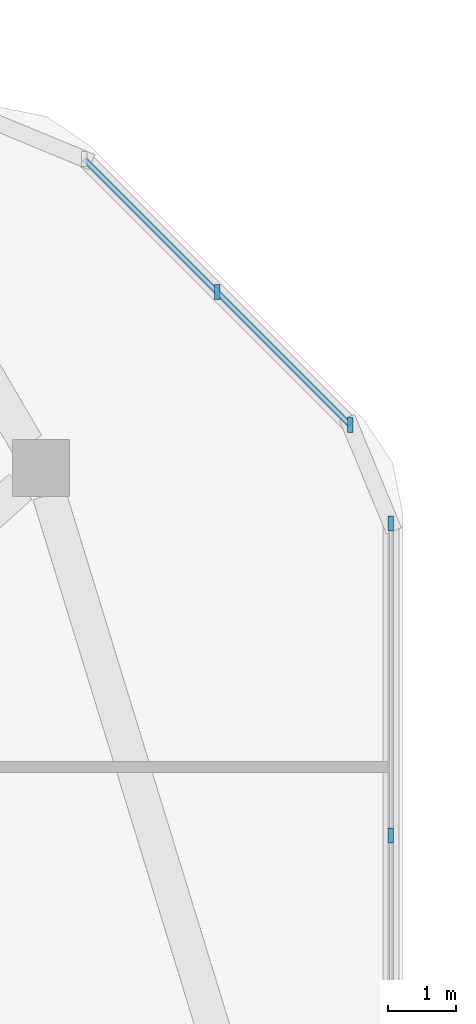
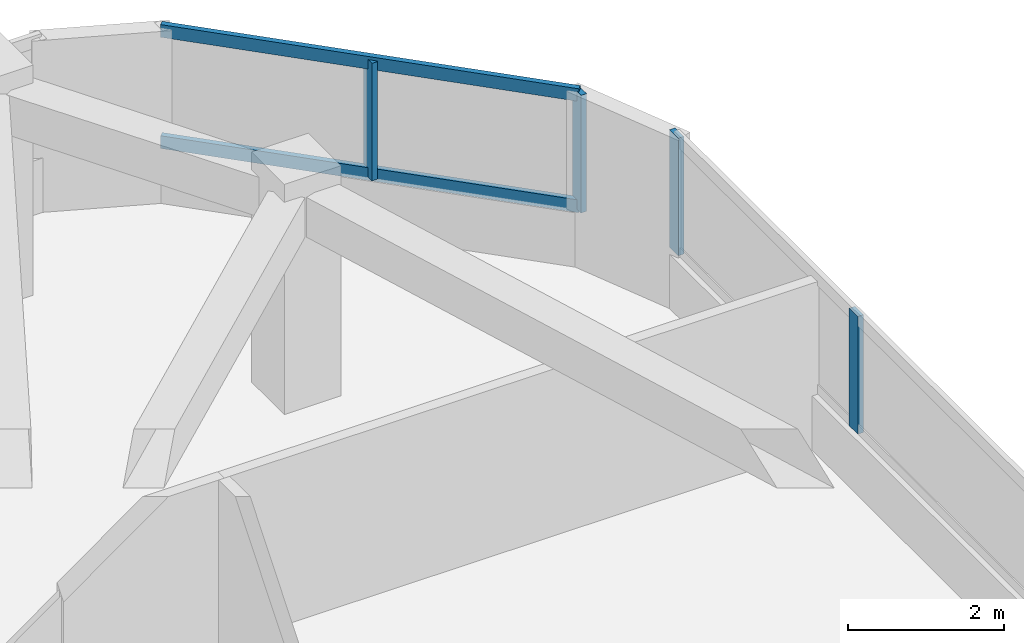
# One storey, part 7 of 13: 6 members, 2 elements without a shape of their own.
"""IFC4 building model written with IfcOpenShell, lengths in metres."""

from ifc_helpers import new_model, si_unit, derived_unit, direction, frame, origin, origin_2d, place, context, subcontext, project, spatial, rectangle, extrude, material, material_profile, profile_set, type_object, element, aggregate, save


model = new_model("IFC4")

# Units and contexts
model_context = context("Model", 3, precision=1e-05, world=origin(), true_north=direction((0.0, 1.0)))
body_context = subcontext(model_context, "Body", "Model", "MODEL_VIEW")
ifc_project = project(units=[si_unit("LENGTHUNIT", "METRE"), si_unit("AREAUNIT", "SQUARE_METRE"), si_unit("VOLUMEUNIT", "CUBIC_METRE"), si_unit("PLANEANGLEUNIT", "RADIAN"), si_unit("MASSUNIT", "GRAM", prefix="KILO"), derived_unit("THERMALTRANSMITTANCEUNIT", [(si_unit("POWERUNIT", "WATT"), 1), (si_unit("LENGTHUNIT", "METRE"), -2), (si_unit("THERMODYNAMICTEMPERATUREUNIT", "KELVIN"), -1)])], contexts=[model_context])

# Site, building, storey
site_placement = place(None, origin())
site = spatial("IfcSite", under=ifc_project, at=site_placement, CompositionType="ELEMENT")
building_placement = place(site_placement, origin())
building = spatial("IfcBuilding", under=site, at=building_placement, Name="Koralith Skygarden Medical Center", CompositionType="ELEMENT")
storey_placement = place(building_placement, frame((0.0, 0.0, 271.6201171875)))
storey = spatial("IfcBuildingStorey", under=building, at=storey_placement, Name="L70", CompositionType="ELEMENT", Elevation=271.6201171875)

# Curtain wall, members
ifc_material_1 = material(Name="Clear Laminated Glass", Category="glass")
curtain_wall_type = type_object("IfcCurtainWallType", Name="CW-6 Zone 5 Upper Clinical Curtain Wall", PredefinedType="NOTDEFINED", material=ifc_material_1)
curtain_wall_1_placement = place(storey_placement, origin())
curtain_wall_1 = element("IfcCurtainWall", 1, at=curtain_wall_1_placement, inside=storey, type_object=curtain_wall_type, Name="Curtain Wall CW-L70-E-R", PredefinedType="NOTDEFINED")
ifc_material_2 = material(Name="Aluminium 6063-T6", Category="aluminium")
ifc_material_profile_1 = material_profile(ifc_material_2, rectangle(XDim=0.0830078125, YDim=0.219970703125, at=origin_2d()), Name="MUL83X220")
ifc_profile_set_1 = profile_set([ifc_material_profile_1], Name="Aluminium 6063-T6")
member_type_1 = type_object("IfcMemberType", Name="CW-6 Extruded Mullion 83x220", PredefinedType="MULLION", material=ifc_profile_set_1)
member_1_placement = place(storey_placement, frame((61.719970703125, 36.64306640625, 0.849853515625), z_axis=(0.0, 0.0, 1.0), x_axis=(1.0, 0.0, 0.0)))
member_1 = element("IfcMember", 2, at=member_1_placement, type_object=member_type_1, Name="CW-L70-E-R Mullion 3", PredefinedType="MULLION", context=body_context, shape_type="SweptSolid", body=[
    extrude(rectangle(XDim=0.0830078125, YDim=0.219970703125, at=origin_2d()), origin(), (0.0, 0.0, 1.0), 1.840087890625),
])
member_2_placement = place(storey_placement, frame((61.719970703125, 41.2451171875, 0.849853515625), z_axis=(0.0, 0.0, 1.0), x_axis=(1.0, 0.0, 0.0)))
member_2 = element("IfcMember", 3, at=member_2_placement, type_object=member_type_1, Name="CW-L70-E-R Mullion 4", PredefinedType="MULLION", context=body_context, shape_type="SweptSolid", body=[
    extrude(rectangle(XDim=0.0830078125, YDim=0.219970703125, at=origin_2d()), origin(), (0.0, 0.0, 1.0), 1.840087890625),
])
aggregate(curtain_wall_1, [member_1, member_2])

curtain_wall_2_placement = place(storey_placement, origin())
curtain_wall_2 = element("IfcCurtainWall", 4, at=curtain_wall_2_placement, inside=storey, type_object=curtain_wall_type, Name="Curtain Wall CW-L70-NE", PredefinedType="NOTDEFINED")
member_3_placement = place(storey_placement, frame((61.118896484375, 42.696044921875, 0.849853515625), z_axis=(0.0, 0.0, 1.0), x_axis=(1.0, 0.0, 0.0)))
member_3 = element("IfcMember", 5, at=member_3_placement, type_object=member_type_1, Name="CW-L70-NE Mullion 1", PredefinedType="MULLION", context=body_context, shape_type="SweptSolid", body=[
    extrude(rectangle(XDim=0.0830078125, YDim=0.219970703125, at=origin_2d()), origin(), (0.0, 0.0, 1.0), 1.840087890625),
])
member_4_placement = place(storey_placement, frame((59.156982421875, 44.656982421875, 0.849853515625), z_axis=(0.0, 0.0, 1.0), x_axis=(1.0, 0.0, 0.0)))
member_4 = element("IfcMember", 6, at=member_4_placement, type_object=member_type_1, Name="CW-L70-NE Mullion 2", PredefinedType="MULLION", context=body_context, shape_type="SweptSolid", body=[
    extrude(rectangle(XDim=0.0830078125, YDim=0.219970703125, at=origin_2d()), origin(), (0.0, 0.0, 1.0), 1.840087890625),
])
ifc_material_profile_2 = material_profile(ifc_material_2, rectangle(XDim=0.077880859375, YDim=0.197998046875, at=origin_2d()), Name="TRN78X198")
ifc_profile_set_2 = profile_set([ifc_material_profile_2], Name="Aluminium 6063-T6")
member_type_2 = type_object("IfcMemberType", Name="CW-6 Thermal Transom 78x198", PredefinedType="USERDEFINED", material=ifc_profile_set_2)
member_5_placement = place(storey_placement, frame((61.118896484375, 42.696044921875, 0.89990234375), z_axis=(-0.707106781187, 0.707106781187, 0.0), x_axis=(-0.707106781187, -0.707106781187, 0.0)))
member_5 = element("IfcMember", 7, at=member_5_placement, type_object=member_type_2, Name="CW-L70-NE Transom 1", ObjectType="TRANSOM", PredefinedType="USERDEFINED", context=body_context, shape_type="SweptSolid", body=[
    extrude(rectangle(XDim=0.077880859375, YDim=0.197998046875, at=origin_2d()), origin(), (0.0, 0.0, 1.0), 5.5478515625),
])
member_6_placement = place(storey_placement, frame((61.118896484375, 42.696044921875, 2.639892578125), z_axis=(-0.707106781187, 0.707106781187, 0.0), x_axis=(-0.707106781187, -0.707106781187, 0.0)))
member_6 = element("IfcMember", 8, at=member_6_placement, type_object=member_type_2, Name="CW-L70-NE Transom 2", ObjectType="TRANSOM", PredefinedType="USERDEFINED", context=body_context, shape_type="SweptSolid", body=[
    extrude(rectangle(XDim=0.077880859375, YDim=0.197998046875, at=origin_2d()), origin(), (0.0, 0.0, 1.0), 5.5478515625),
])
aggregate(curtain_wall_2, [member_3, member_4, member_5, member_6])

save(model, "model.ifc")
